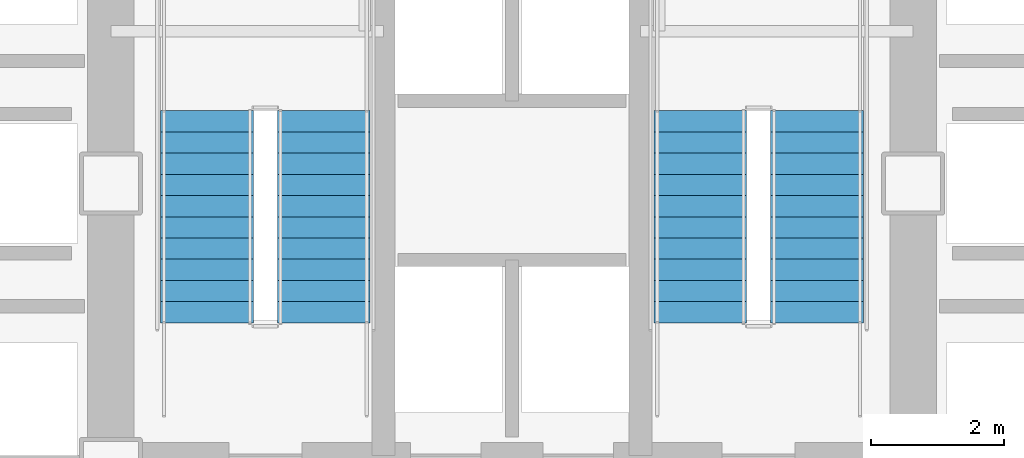
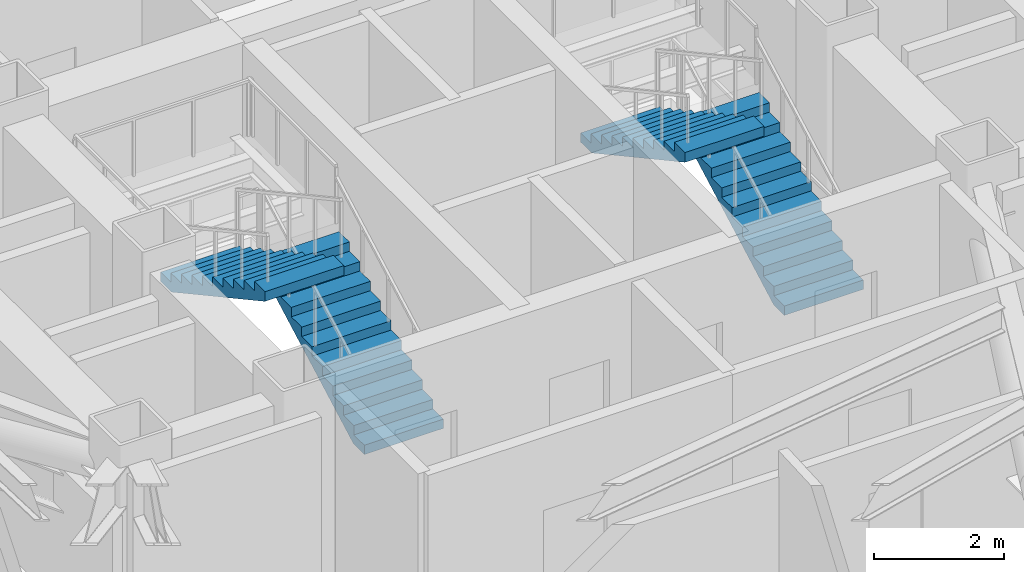
# One storey, part 7 of 10: 4 stair flights, 2 elements without a shape of their own.
"""IFC4 building model written with IfcOpenShell, lengths in metres."""

from ifc_helpers import new_model, si_unit, direction, frame, origin, place, context, subcontext, project, spatial, polyline, outline, extrude, material, type_object, element, aggregate, save


model = new_model("IFC4")

# Units and contexts
model_context = context("Model", 3, precision=1e-05, world=origin(), true_north=direction((0.0, 1.0)))
body_context = subcontext(model_context, "Body", "Model", "MODEL_VIEW")
ifc_project = project(units=[si_unit("LENGTHUNIT", "METRE"), si_unit("AREAUNIT", "SQUARE_METRE"), si_unit("VOLUMEUNIT", "CUBIC_METRE"), si_unit("PLANEANGLEUNIT", "RADIAN"), si_unit("MASSUNIT", "GRAM", prefix="KILO")], contexts=[model_context])

# Site, building, storey
site_placement = place(None, origin())
site = spatial("IfcSite", under=ifc_project, at=site_placement, CompositionType="ELEMENT")
building_placement = place(site_placement, origin())
building = spatial("IfcBuilding", under=site, at=building_placement, Name="Rocaltana Carrier Exchange", CompositionType="ELEMENT")
storey_placement = place(building_placement, frame((0.0, 0.0, 45.760009765625)))
storey = spatial("IfcBuildingStorey", under=building, at=storey_placement, Name="L14", CompositionType="ELEMENT", Elevation=45.760009765625)

# Stair, stair flights
ifc_material_1 = material(Name="Precast concrete C45/55", Category="concrete")
stair_type = type_object("IfcStairType", Name="Standard Dog-Leg Stair 160", PredefinedType="HALF_TURN_STAIR", material=ifc_material_1)
stair_1_placement = place(storey_placement, origin())
stair_1 = element("IfcStair", 1, at=stair_1_placement, inside=storey, type_object=stair_type, Name="L14 Core West Exit Stair ST-1", PredefinedType="HALF_TURN_STAIR")
ifc_material_2 = material(Name="Precast concrete C45/55", Category="concrete")
stair_flight_type = type_object("IfcStairFlightType", Name="Precast Stair Flight 160", PredefinedType="STRAIGHT", material=ifc_material_2)
stair_flight_1_placement = place(storey_placement, frame((-2.840087890625, -2.10009765625, 0.0), z_axis=(0.0, 0.0, 1.0), x_axis=(0.0, 1.0, 0.0)))
stair_flight_1 = element("IfcStairFlight", 2, at=stair_flight_1_placement, type_object=stair_flight_type, Name="ST-1 flight 1", NumberOfRisers=11, NumberOfTreads=10, PredefinedType="STRAIGHT", RiserHeight=0.174545455, TreadLength=0.32, context=body_context, shape_type="SweptSolid", body=[
    extrude(outline(polyline([(0.0, 0.0), (0.0, 0.174560546875), (0.320068359375, 0.174560546875), (0.320068359375, 0.34912109375), (0.639892578125, 0.34912109375), (0.639892578125, 0.523681640625), (0.9599609375, 0.523681640625), (0.9599609375, 0.6982421875), (1.280029296875, 0.6982421875), (1.280029296875, 0.872802734375), (1.60009765625, 0.872802734375), (1.60009765625, 1.04736328125), (1.919921875, 1.04736328125), (1.919921875, 1.221923828125), (2.239990234375, 1.221923828125), (2.239990234375, 1.396484375), (2.56005859375, 1.396484375), (2.56005859375, 1.57080078125), (2.8798828125, 1.57080078125), (2.8798828125, 1.745361328125), (3.199951171875, 1.745361328125), (3.199951171875, 1.919921875), (3.199951171875, 1.563232421875), (0.333984375, 0.0), (0.0, 0.0)])), frame((0.0, 0.699951171875, 0.0), z_axis=(0.0, -1.0, 0.0), x_axis=(1.0, 0.0, 0.0)), (0.0, 0.0, 1.0), 1.39990234375),
])
stair_flight_2_placement = place(storey_placement, frame((-4.60009765625, 1.10009765625, 1.919921875), z_axis=(0.0, 0.0, 1.0), x_axis=(0.0, -1.0, 0.0)))
stair_flight_2 = element("IfcStairFlight", 3, at=stair_flight_2_placement, type_object=stair_flight_type, Name="ST-1 flight 2", NumberOfRisers=11, NumberOfTreads=10, PredefinedType="STRAIGHT", RiserHeight=0.174545455, TreadLength=0.32, context=body_context, shape_type="SweptSolid", body=[
    extrude(outline(polyline([(0.0, 0.0), (0.0, 0.174560546875), (0.320068359375, 0.174560546875), (0.320068359375, 0.34912109375), (0.639892578125, 0.34912109375), (0.639892578125, 0.523681640625), (0.9599609375, 0.523681640625), (0.9599609375, 0.6982421875), (1.280029296875, 0.6982421875), (1.280029296875, 0.872802734375), (1.60009765625, 0.872802734375), (1.60009765625, 1.04736328125), (1.919921875, 1.04736328125), (1.919921875, 1.221923828125), (2.239990234375, 1.221923828125), (2.239990234375, 1.396484375), (2.56005859375, 1.396484375), (2.56005859375, 1.57080078125), (2.8798828125, 1.57080078125), (2.8798828125, 1.745361328125), (3.199951171875, 1.745361328125), (3.199951171875, 1.919921875), (3.199951171875, 1.563232421875), (0.333984375, 0.0), (0.0, 0.0)])), frame((0.0, 0.699951171875, 0.0), z_axis=(0.0, -1.0, 0.0), x_axis=(1.0, 0.0, 0.0)), (0.0, 0.0, 1.0), 1.39990234375),
])
aggregate(stair_1, [stair_flight_1, stair_flight_2])

stair_2_placement = place(storey_placement, origin())
stair_2 = element("IfcStair", 4, at=stair_2_placement, inside=storey, type_object=stair_type, Name="L14 Core East Exit Stair ST-2", PredefinedType="HALF_TURN_STAIR")
stair_flight_3_placement = place(storey_placement, frame((4.60009765625, -2.10009765625, 0.0), z_axis=(0.0, 0.0, 1.0), x_axis=(0.0, 1.0, 0.0)))
stair_flight_3 = element("IfcStairFlight", 5, at=stair_flight_3_placement, type_object=stair_flight_type, Name="ST-2 flight 1", NumberOfRisers=11, NumberOfTreads=10, PredefinedType="STRAIGHT", RiserHeight=0.174545455, TreadLength=0.32, context=body_context, shape_type="SweptSolid", body=[
    extrude(outline(polyline([(0.0, 0.0), (0.0, 0.174560546875), (0.320068359375, 0.174560546875), (0.320068359375, 0.34912109375), (0.639892578125, 0.34912109375), (0.639892578125, 0.523681640625), (0.9599609375, 0.523681640625), (0.9599609375, 0.6982421875), (1.280029296875, 0.6982421875), (1.280029296875, 0.872802734375), (1.60009765625, 0.872802734375), (1.60009765625, 1.04736328125), (1.919921875, 1.04736328125), (1.919921875, 1.221923828125), (2.239990234375, 1.221923828125), (2.239990234375, 1.396484375), (2.56005859375, 1.396484375), (2.56005859375, 1.57080078125), (2.8798828125, 1.57080078125), (2.8798828125, 1.745361328125), (3.199951171875, 1.745361328125), (3.199951171875, 1.919921875), (3.199951171875, 1.563232421875), (0.333984375, 0.0), (0.0, 0.0)])), frame((0.0, 0.699951171875, 0.0), z_axis=(0.0, -1.0, 0.0), x_axis=(1.0, 0.0, 0.0)), (0.0, 0.0, 1.0), 1.39990234375),
])
stair_flight_4_placement = place(storey_placement, frame((2.840087890625, 1.10009765625, 1.919921875), z_axis=(0.0, 0.0, 1.0), x_axis=(0.0, -1.0, 0.0)))
stair_flight_4 = element("IfcStairFlight", 6, at=stair_flight_4_placement, type_object=stair_flight_type, Name="ST-2 flight 2", NumberOfRisers=11, NumberOfTreads=10, PredefinedType="STRAIGHT", RiserHeight=0.174545455, TreadLength=0.32, context=body_context, shape_type="SweptSolid", body=[
    extrude(outline(polyline([(0.0, 0.0), (0.0, 0.174560546875), (0.320068359375, 0.174560546875), (0.320068359375, 0.34912109375), (0.639892578125, 0.34912109375), (0.639892578125, 0.523681640625), (0.9599609375, 0.523681640625), (0.9599609375, 0.6982421875), (1.280029296875, 0.6982421875), (1.280029296875, 0.872802734375), (1.60009765625, 0.872802734375), (1.60009765625, 1.04736328125), (1.919921875, 1.04736328125), (1.919921875, 1.221923828125), (2.239990234375, 1.221923828125), (2.239990234375, 1.396484375), (2.56005859375, 1.396484375), (2.56005859375, 1.57080078125), (2.8798828125, 1.57080078125), (2.8798828125, 1.745361328125), (3.199951171875, 1.745361328125), (3.199951171875, 1.919921875), (3.199951171875, 1.563232421875), (0.333984375, 0.0), (0.0, 0.0)])), frame((0.0, 0.699951171875, 0.0), z_axis=(0.0, -1.0, 0.0), x_axis=(1.0, 0.0, 0.0)), (0.0, 0.0, 1.0), 1.39990234375),
])
aggregate(stair_2, [stair_flight_3, stair_flight_4])

save(model, "model.ifc")
